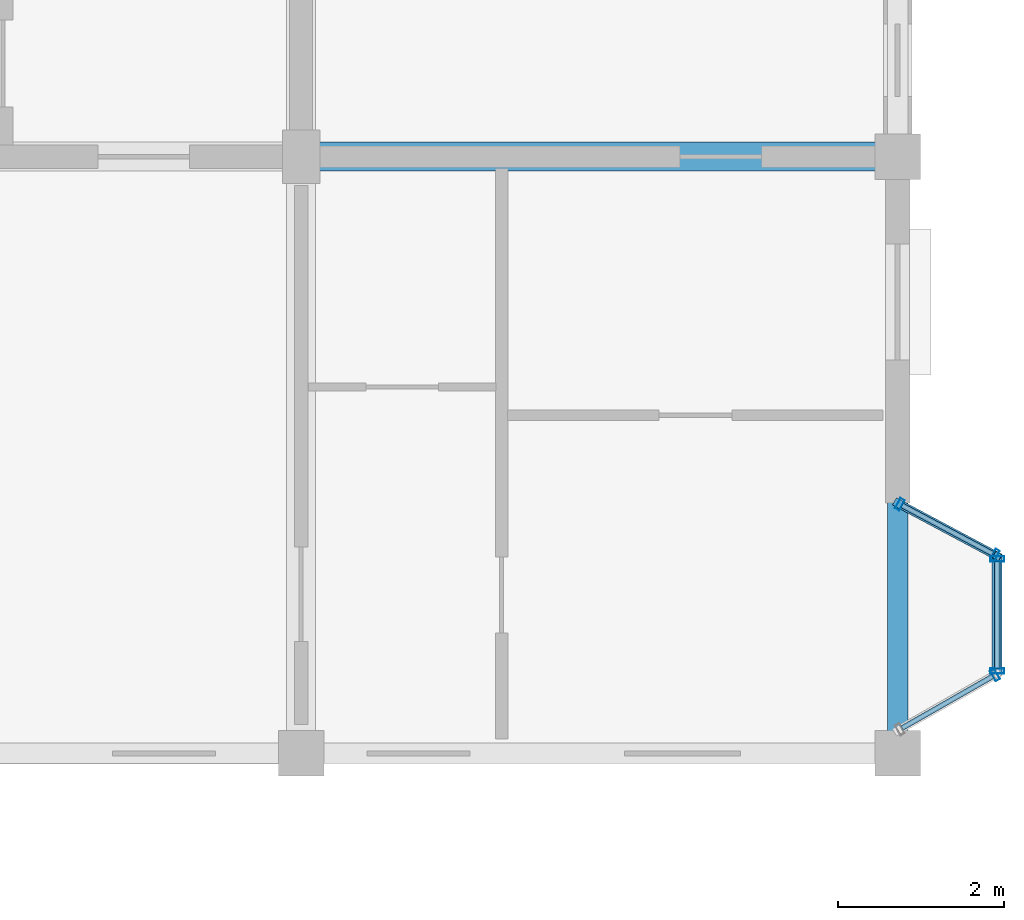
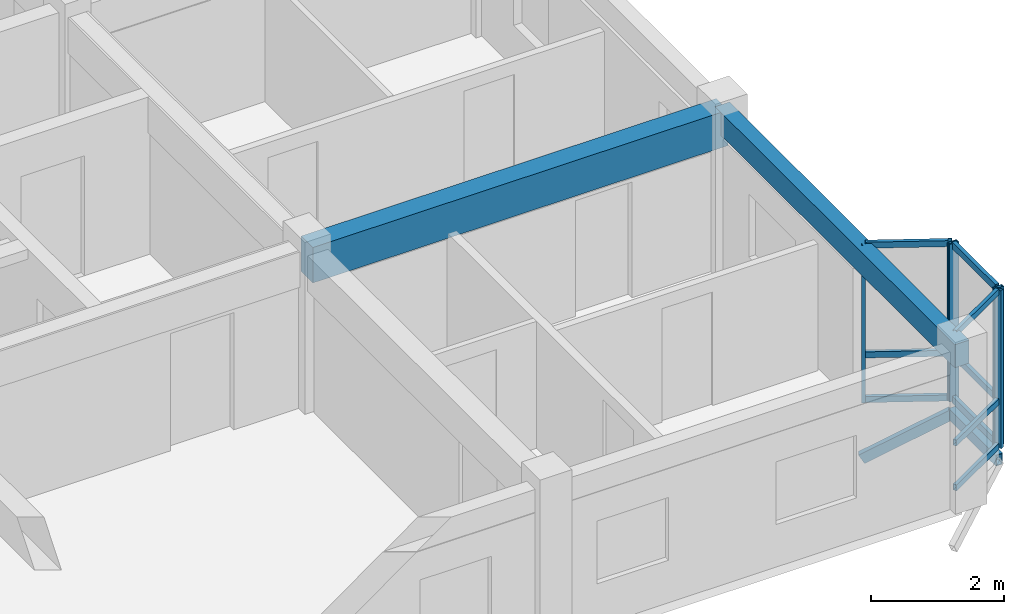
# One storey, part 25 of 77: 16 members, 2 beams, 3 elements without a shape of their own.
"""IFC4 building model written with IfcOpenShell, lengths in metres."""

from ifc_helpers import new_model, si_unit, direction, frame, origin, origin_2d, place, context, subcontext, project, spatial, rectangle, hollow_rectangle, extrude, material, layer, layer_set, material_profile, profile_set, type_object, element, aggregate, save


model = new_model("IFC4")

# Units and contexts
model_context = context("Model", 3, precision=1e-05, world=origin(), true_north=direction((0.0, 1.0)))
body_context = subcontext(model_context, "Body", "Model", "MODEL_VIEW")
ifc_project = project(units=[si_unit("LENGTHUNIT", "METRE"), si_unit("AREAUNIT", "SQUARE_METRE"), si_unit("VOLUMEUNIT", "CUBIC_METRE"), si_unit("PLANEANGLEUNIT", "RADIAN"), si_unit("MASSUNIT", "GRAM", prefix="KILO"), si_unit("THERMODYNAMICTEMPERATUREUNIT", "KELVIN"), si_unit("POWERUNIT", "WATT")], contexts=[model_context])

# Site, building, storey
site_placement = place(None, origin())
site = spatial("IfcSite", under=ifc_project, at=site_placement, CompositionType="ELEMENT")
building_placement = place(site_placement, origin())
building = spatial("IfcBuilding", under=site, at=building_placement, Name="Tavuni Mirador Residences", CompositionType="ELEMENT")
storey_placement = place(building_placement, frame((0.0, 0.0, 10.800048828125)))
storey = spatial("IfcBuildingStorey", under=building, at=storey_placement, Name="L03", CompositionType="ELEMENT", Elevation=10.800048828125)

# Beams
ifc_material_1 = material(Name="Precast concrete C40/50", Category="concrete")
ifc_material_profile_1 = material_profile(ifc_material_1, rectangle(XDim=0.35009765625, YDim=0.64990234375, at=origin_2d()), Name="PC 350x650", Category="concrete")
ifc_profile_set_1 = profile_set([ifc_material_profile_1], Name="Precast concrete C40/50")
beam_type_1 = type_object("IfcBeamType", Name="BT-B650", PredefinedType="BEAM", material=ifc_profile_set_1)
beam_1_placement = place(storey_placement, frame((111.60009765625, 93.60009765625, 2.56494140625), z_axis=(1.0, 0.0, 0.0), x_axis=(0.0, 1.0, 0.0)))
element("IfcBeam", 1, at=beam_1_placement, inside=storey, type_object=beam_type_1, Name="BMX-BLK-D-L03-03-01", PredefinedType="BEAM", context=body_context, shape_type="SweptSolid", body=[
    extrude(rectangle(XDim=0.35009765625, YDim=0.64990234375, at=origin_2d()), origin(), (0.0, 0.0, 1.0), 7.199951171875),
])
ifc_material_profile_2 = material_profile(ifc_material_1, rectangle(XDim=0.25, YDim=0.419921875, at=origin_2d()), Name="PC 250x420", Category="concrete")
ifc_profile_set_2 = profile_set([ifc_material_profile_2], Name="Precast concrete C40/50")
beam_type_2 = type_object("IfcBeamType", Name="BT-SP420", PredefinedType="SPANDREL", material=ifc_profile_set_2)
beam_2_placement = place(storey_placement, frame((118.800048828125, 86.39990234375, 2.679931640625), z_axis=(0.0, 1.0, 0.0), x_axis=(-1.0, 0.0, 0.0)))
element("IfcBeam", 2, at=beam_2_placement, inside=storey, type_object=beam_type_2, Name="BMY-BLK-D-L03-04-00", PredefinedType="SPANDREL", context=body_context, shape_type="SweptSolid", body=[
    extrude(rectangle(XDim=0.25, YDim=0.419921875, at=origin_2d()), origin(), (0.0, 0.0, 1.0), 7.2001953125),
])

# Curtain wall, member
ifc_material_2 = material(Name="Anodised aluminium", Category="aluminium")
ifc_layer_1 = layer(ifc_material_2, 0.175048828125, Name="Anodised aluminium", Category="aluminium")
ifc_layer_set_1 = layer_set([ifc_layer_1], Name="Anodised aluminium")
curtain_wall_type_1 = type_object("IfcCurtainWallType", Name="CWT-MIR-C", PredefinedType="NOTDEFINED", material=ifc_layer_set_1)
curtain_wall_1_placement = place(storey_placement, origin())
curtain_wall_1 = element("IfcCurtainWall", 3, at=curtain_wall_1_placement, inside=storey, type_object=curtain_wall_type_1, Name="CW-MIR-D-E1-L03-M1", PredefinedType="NOTDEFINED")
ifc_material_profile_3 = material_profile(ifc_material_2, hollow_rectangle(XDim=0.06005859375, YDim=0.139892578125, WallThickness=0.00390625, at=origin_2d()), Name="ALU 60x140x4.0", Category="aluminium")
ifc_profile_set_3 = profile_set([ifc_material_profile_3], Name="Anodised aluminium")
member_type_1 = type_object("IfcMemberType", Name="CWM-140", PredefinedType="MULLION", material=ifc_profile_set_3)
member_1_placement = place(storey_placement, frame((119.973876953125, 87.34521484375, 0.0), z_axis=(0.0, 0.0, 1.0), x_axis=(0.868465738194, 0.495749192217, 0.0)))
member_1 = element("IfcMember", 4, at=member_1_placement, type_object=member_type_1, Name="CW-03 mullion 2", PredefinedType="MULLION", context=body_context, shape_type="SweptSolid", body=[
    extrude(hollow_rectangle(XDim=0.06005859375, YDim=0.139892578125, WallThickness=0.00390625, at=origin_2d()), origin(), (0.0, 0.0, 1.0), 2.889892578125),
])

# Curtain wall, members
ifc_layer_2 = layer(ifc_material_2, 0.1650390625, Name="Anodised aluminium", Category="aluminium")
ifc_layer_set_2 = layer_set([ifc_layer_2], Name="Anodised aluminium")
curtain_wall_type_2 = type_object("IfcCurtainWallType", Name="CWT-MIR-A", PredefinedType="NOTDEFINED", material=ifc_layer_set_2)
curtain_wall_2_placement = place(storey_placement, origin())
curtain_wall_2 = element("IfcCurtainWall", 5, at=curtain_wall_2_placement, inside=storey, type_object=curtain_wall_type_2, Name="CW-MIR-D-E1-L03-M2", PredefinedType="NOTDEFINED")
member_2_placement = place(storey_placement, frame((119.9736328125, 88.794189453125, 0.0), z_axis=(0.0, 0.0, 1.0), x_axis=(-0.882352941175, 0.470588235296, 0.0)))
member_2 = element("IfcMember", 6, at=member_2_placement, type_object=member_type_1, Name="CW-01 mullion 1", PredefinedType="MULLION", context=body_context, shape_type="SweptSolid", body=[
    extrude(hollow_rectangle(XDim=0.06005859375, YDim=0.139892578125, WallThickness=0.00390625, at=origin_2d()), origin(), (0.0, 0.0, 1.0), 2.889892578125),
])
member_3_placement = place(storey_placement, frame((118.826416015625, 89.40576171875, 0.0), z_axis=(0.0, 0.0, 1.0), x_axis=(-0.882352941175, 0.470588235296, 0.0)))
member_3 = element("IfcMember", 7, at=member_3_placement, type_object=member_type_1, Name="CW-01 mullion 2", PredefinedType="MULLION", context=body_context, shape_type="SweptSolid", body=[
    extrude(hollow_rectangle(XDim=0.06005859375, YDim=0.139892578125, WallThickness=0.00390625, at=origin_2d()), origin(), (0.0, 0.0, 1.0), 2.889892578125),
])

ifc_layer_3 = layer(ifc_material_2, 0.159912109375, Name="Anodised aluminium", Category="aluminium")
ifc_layer_set_3 = layer_set([ifc_layer_3], Name="Anodised aluminium")
curtain_wall_type_3 = type_object("IfcCurtainWallType", Name="CWT-MIR-D", PredefinedType="NOTDEFINED", material=ifc_layer_set_3)
curtain_wall_3_placement = place(storey_placement, origin())
curtain_wall_3 = element("IfcCurtainWall", 8, at=curtain_wall_3_placement, inside=storey, type_object=curtain_wall_type_3, Name="CW-MIR-D-E1-L03-MF", PredefinedType="NOTDEFINED")
ifc_material_profile_4 = material_profile(ifc_material_2, hollow_rectangle(XDim=0.06494140625, YDim=0.1650390625, WallThickness=0.00439453125, at=origin_2d()), Name="ALU 65x165x4.5", Category="aluminium")
ifc_profile_set_4 = profile_set([ifc_material_profile_4], Name="Anodised aluminium")
member_type_2 = type_object("IfcMemberType", Name="CWM-165", PredefinedType="MULLION", material=ifc_profile_set_4)
member_4_placement = place(storey_placement, frame((120.0, 87.392578125, 0.0), z_axis=(0.0, 0.0, 1.0), x_axis=(0.0, 1.0, 0.0)))
member_4 = element("IfcMember", 9, at=member_4_placement, type_object=member_type_2, Name="CW-04 mullion 1", PredefinedType="MULLION", context=body_context, shape_type="SweptSolid", body=[
    extrude(hollow_rectangle(XDim=0.06494140625, YDim=0.1650390625, WallThickness=0.00439453125, at=origin_2d()), origin(), (0.0, 0.0, 1.0), 2.889892578125),
])
member_5_placement = place(storey_placement, frame((120.0, 88.74755859375, 0.0), z_axis=(0.0, 0.0, 1.0), x_axis=(0.0, 1.0, 0.0)))
member_5 = element("IfcMember", 10, at=member_5_placement, type_object=member_type_2, Name="CW-04 mullion 2", PredefinedType="MULLION", context=body_context, shape_type="SweptSolid", body=[
    extrude(hollow_rectangle(XDim=0.06494140625, YDim=0.1650390625, WallThickness=0.00439453125, at=origin_2d()), origin(), (0.0, 0.0, 1.0), 2.889892578125),
])

# Member
ifc_material_profile_5 = material_profile(ifc_material_2, hollow_rectangle(XDim=0.06005859375, YDim=0.110107421875, WallThickness=0.00390625, at=origin_2d()), Name="ALU 60x110x4.0", Category="aluminium")
ifc_profile_set_5 = profile_set([ifc_material_profile_5], Name="Anodised aluminium")
member_type_3 = type_object("IfcMemberType", Name="CWT-110", PredefinedType="USERDEFINED", material=ifc_profile_set_5)
member_6_placement = place(storey_placement, frame((118.85205078125, 86.704833984375, 0.030029296875), z_axis=(0.868504955205, 0.49568048457, 0.0), x_axis=(-0.49568048457, 0.868504955205, 0.0)))
member_6 = element("IfcMember", 11, at=member_6_placement, type_object=member_type_3, Name="CW-03 transom 1.1", ObjectType="TRANSOM", PredefinedType="USERDEFINED", context=body_context, shape_type="SweptSolid", body=[
    extrude(hollow_rectangle(XDim=0.06005859375, YDim=0.110107421875, WallThickness=0.00390625, at=origin_2d()), origin(), (0.0, 0.0, 1.0), 1.261962890625),
])

member_7_placement = place(storey_placement, frame((118.85205078125, 86.704833984375, 0.849853515625), z_axis=(0.868504955205, 0.49568048457, 0.0), x_axis=(-0.49568048457, 0.868504955205, 0.0)))
member_7 = element("IfcMember", 12, at=member_7_placement, type_object=member_type_3, Name="CW-03 transom 1.2", ObjectType="TRANSOM", PredefinedType="USERDEFINED", context=body_context, shape_type="SweptSolid", body=[
    extrude(hollow_rectangle(XDim=0.06005859375, YDim=0.110107421875, WallThickness=0.00390625, at=origin_2d()), origin(), (0.0, 0.0, 1.0), 1.261962890625),
])

member_8_placement = place(storey_placement, frame((118.85205078125, 86.704833984375, 2.85986328125), z_axis=(0.868504955205, 0.49568048457, 0.0), x_axis=(-0.49568048457, 0.868504955205, 0.0)))
member_8 = element("IfcMember", 13, at=member_8_placement, type_object=member_type_3, Name="CW-03 transom 1.3", ObjectType="TRANSOM", PredefinedType="USERDEFINED", context=body_context, shape_type="SweptSolid", body=[
    extrude(hollow_rectangle(XDim=0.06005859375, YDim=0.110107421875, WallThickness=0.00390625, at=origin_2d()), origin(), (0.0, 0.0, 1.0), 1.261962890625),
])

aggregate(curtain_wall_1, [member_1, member_6, member_7, member_8])

member_9_placement = place(storey_placement, frame((119.947021484375, 88.808349609375, 0.030029296875), z_axis=(-0.882342039492, 0.470608675382, 0.0), x_axis=(-0.470608675382, -0.882342039492, 0.0)))
member_9 = element("IfcMember", 14, at=member_9_placement, type_object=member_type_3, Name="CW-01 transom 1.1", ObjectType="TRANSOM", PredefinedType="USERDEFINED", context=body_context, shape_type="SweptSolid", body=[
    extrude(hollow_rectangle(XDim=0.06005859375, YDim=0.110107421875, WallThickness=0.00390625, at=origin_2d()), origin(), (0.0, 0.0, 1.0), 1.239990234375),
])

member_10_placement = place(storey_placement, frame((119.947021484375, 88.808349609375, 0.849853515625), z_axis=(-0.882342039492, 0.470608675382, 0.0), x_axis=(-0.470608675382, -0.882342039492, 0.0)))
member_10 = element("IfcMember", 15, at=member_10_placement, type_object=member_type_3, Name="CW-01 transom 1.2", ObjectType="TRANSOM", PredefinedType="USERDEFINED", context=body_context, shape_type="SweptSolid", body=[
    extrude(hollow_rectangle(XDim=0.06005859375, YDim=0.110107421875, WallThickness=0.00390625, at=origin_2d()), origin(), (0.0, 0.0, 1.0), 1.239990234375),
])

member_11_placement = place(storey_placement, frame((119.947021484375, 88.808349609375, 2.85986328125), z_axis=(-0.882342039492, 0.470608675382, 0.0), x_axis=(-0.470608675382, -0.882342039492, 0.0)))
member_11 = element("IfcMember", 16, at=member_11_placement, type_object=member_type_3, Name="CW-01 transom 1.3", ObjectType="TRANSOM", PredefinedType="USERDEFINED", context=body_context, shape_type="SweptSolid", body=[
    extrude(hollow_rectangle(XDim=0.06005859375, YDim=0.110107421875, WallThickness=0.00390625, at=origin_2d()), origin(), (0.0, 0.0, 1.0), 1.239990234375),
])

aggregate(curtain_wall_2, [member_2, member_3, member_9, member_10, member_11])

ifc_material_profile_6 = material_profile(ifc_material_2, hollow_rectangle(XDim=0.06494140625, YDim=0.125, WallThickness=0.00439453125, at=origin_2d()), Name="ALU 65x125x4.5", Category="aluminium")
ifc_profile_set_6 = profile_set([ifc_material_profile_6], Name="Anodised aluminium")
member_type_4 = type_object("IfcMemberType", Name="CWT-125", PredefinedType="USERDEFINED", material=ifc_profile_set_6)
member_12_placement = place(storey_placement, frame((120.0, 87.425048828125, 0.032470703125), z_axis=(0.0, 1.0, 0.0), x_axis=(-1.0, 0.0, 0.0)))
member_12 = element("IfcMember", 17, at=member_12_placement, type_object=member_type_4, Name="CW-04 transom 1.1", ObjectType="TRANSOM", PredefinedType="USERDEFINED", context=body_context, shape_type="SweptSolid", body=[
    extrude(hollow_rectangle(XDim=0.06494140625, YDim=0.125, WallThickness=0.00439453125, at=origin_2d()), origin(), (0.0, 0.0, 1.0), 1.2900390625),
])

member_13_placement = place(storey_placement, frame((120.0, 87.425048828125, 0.849853515625), z_axis=(0.0, 1.0, 0.0), x_axis=(-1.0, 0.0, 0.0)))
member_13 = element("IfcMember", 18, at=member_13_placement, type_object=member_type_4, Name="CW-04 transom 1.2", ObjectType="TRANSOM", PredefinedType="USERDEFINED", context=body_context, shape_type="SweptSolid", body=[
    extrude(hollow_rectangle(XDim=0.06494140625, YDim=0.125, WallThickness=0.00439453125, at=origin_2d()), origin(), (0.0, 0.0, 1.0), 1.2900390625),
])

member_14_placement = place(storey_placement, frame((120.0, 87.425048828125, 2.857421875), z_axis=(0.0, 1.0, 0.0), x_axis=(-1.0, 0.0, 0.0)))
member_14 = element("IfcMember", 19, at=member_14_placement, type_object=member_type_4, Name="CW-04 transom 1.3", ObjectType="TRANSOM", PredefinedType="USERDEFINED", context=body_context, shape_type="SweptSolid", body=[
    extrude(hollow_rectangle(XDim=0.06494140625, YDim=0.125, WallThickness=0.00439453125, at=origin_2d()), origin(), (0.0, 0.0, 1.0), 1.2900390625),
])

aggregate(curtain_wall_3, [member_4, member_5, member_12, member_13, member_14])

# Members
ifc_material_3 = material(Name="Structural steel S355", Category="steel")
ifc_material_profile_7 = material_profile(ifc_material_3, hollow_rectangle(XDim=0.10009765625, YDim=0.179931640625, WallThickness=0.008056640625, at=origin_2d()), Name="RHS 180x100x8.0", Category="steel")
ifc_profile_set_7 = profile_set([ifc_material_profile_7], Name="Structural steel S355")
member_type_5 = type_object("IfcMemberType", Name="MT-BR-RHS180", PredefinedType="BRACE", material=ifc_profile_set_7)
member_15_placement = place(storey_placement, frame((118.800048828125, 89.419921875, -1.050048828125), z_axis=(0.762969185555, -0.406865154698, 0.502333323389), x_axis=(0.47054164445, 0.882377788047, 0.0)))
element("IfcMember", 20, at=member_15_placement, inside=storey, type_object=member_type_5, Name="MBRK-MIR-D-E1-L03-2", PredefinedType="BRACE", context=body_context, shape_type="SweptSolid", body=[
    extrude(hollow_rectangle(XDim=0.10009765625, YDim=0.179931640625, WallThickness=0.008056640625, at=origin_2d()), origin(), (0.0, 0.0, 1.0), 1.57275390625),
])
ifc_material_profile_8 = material_profile(ifc_material_3, hollow_rectangle(XDim=0.1201171875, YDim=0.199951171875, WallThickness=0.010009765625, at=origin_2d()), Name="RHS 200x120x10.0", Category="steel")
ifc_profile_set_8 = profile_set([ifc_material_profile_8], Name="Structural steel S355")
member_type_6 = type_object("IfcMemberType", Name="MT-ST-RHS200", PredefinedType="STRUT", material=ifc_profile_set_8)
member_16_placement = place(storey_placement, frame((120.0, 87.360107421875, -0.260009765625), z_axis=(0.0, 1.0, 0.0), x_axis=(-1.0, 0.0, 0.0)))
element("IfcMember", 21, at=member_16_placement, inside=storey, type_object=member_type_6, Name="MRIM-MIR-D-E1-L03", PredefinedType="STRUT", context=body_context, shape_type="SweptSolid", body=[
    extrude(hollow_rectangle(XDim=0.1201171875, YDim=0.199951171875, WallThickness=0.010009765625, at=origin_2d()), origin(), (0.0, 0.0, 1.0), 1.419921875),
])

save(model, "model.ifc")
